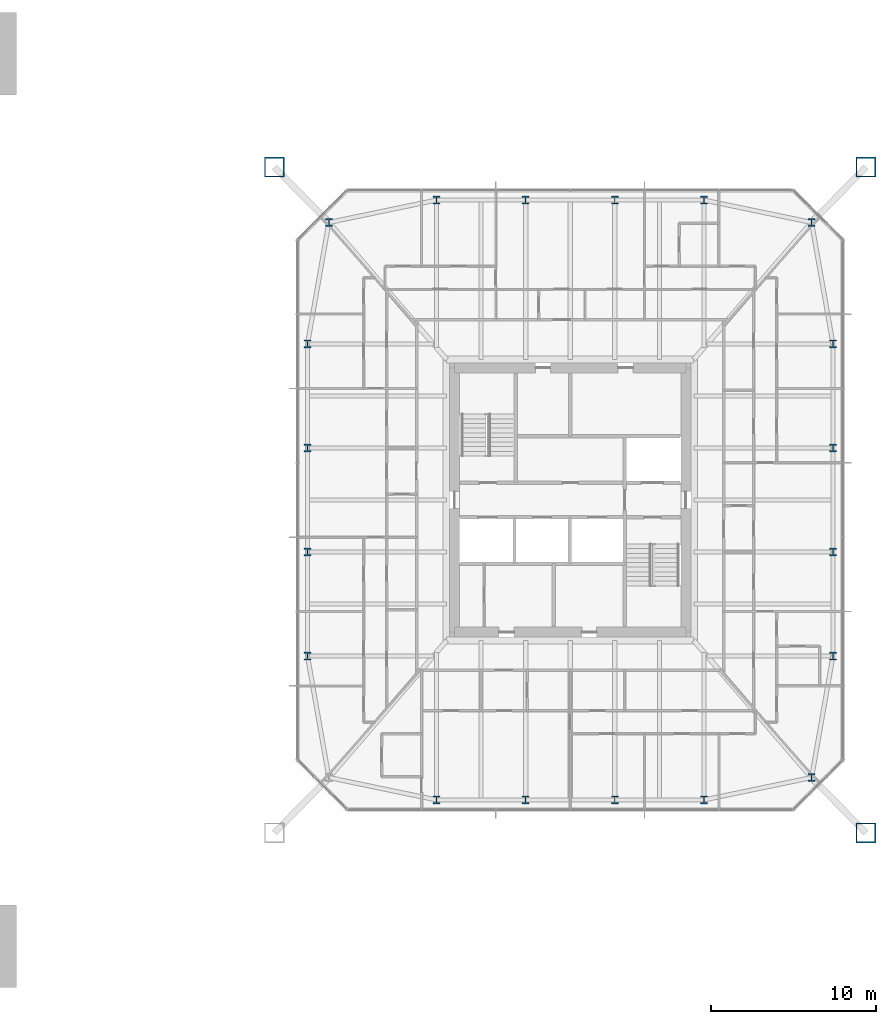
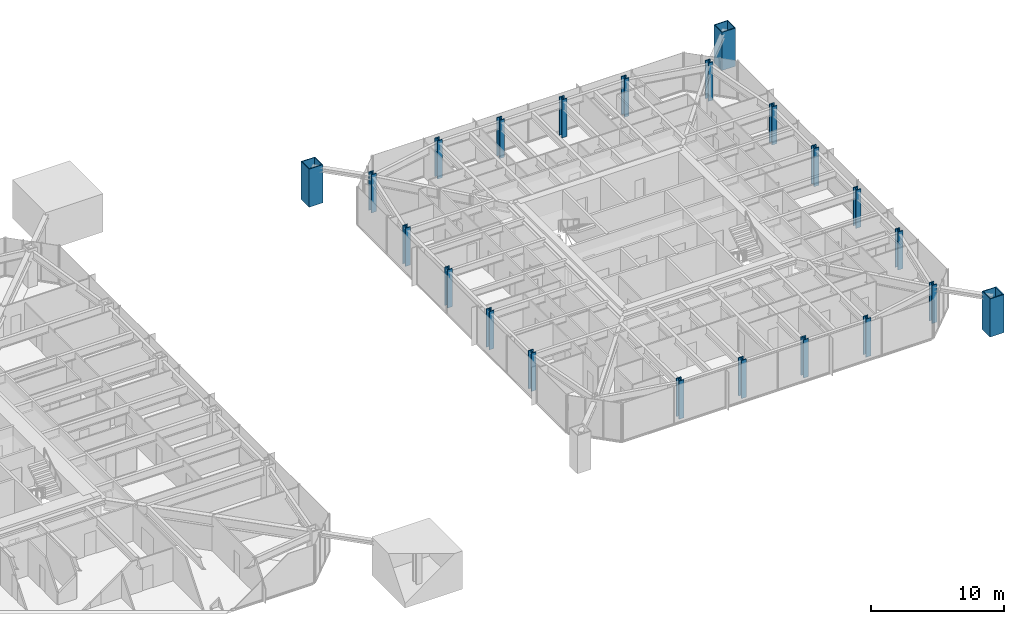
# One storey, part 2 of 26: 22 columns.
"""IFC4 building model written with IfcOpenShell, lengths in metres."""

from ifc_helpers import new_model, si_unit, direction, frame, origin, origin_2d, place, context, subcontext, project, spatial, hollow_rectangle, i_section, extrude, material, material_profile, profile_set, type_object, element, save


model = new_model("IFC4")

# Units and contexts
model_context = context("Model", 3, precision=1e-05, world=origin(), true_north=direction((0.0, 1.0)))
body_context = subcontext(model_context, "Body", "Model", "MODEL_VIEW")
ifc_project = project(units=[si_unit("LENGTHUNIT", "METRE"), si_unit("AREAUNIT", "SQUARE_METRE"), si_unit("VOLUMEUNIT", "CUBIC_METRE"), si_unit("PLANEANGLEUNIT", "RADIAN"), si_unit("MASSUNIT", "GRAM", prefix="KILO")], contexts=[model_context])

# Site, building, storey
site_placement = place(None, origin())
site = spatial("IfcSite", under=ifc_project, at=site_placement, CompositionType="ELEMENT")
building_placement = place(site_placement, origin())
building = spatial("IfcBuilding", under=site, at=building_placement, Name="Iwan Alto Co-Living Towers", CompositionType="ELEMENT")
storey_placement = place(building_placement, frame((0.0, 0.0, 39.5)))
storey = spatial("IfcBuildingStorey", under=building, at=storey_placement, Name="L10", CompositionType="ELEMENT", Elevation=39.5)

# Columns
ifc_material_1 = material(Name="Steel ASTM A572 Gr 50", Category="steel")
ifc_material_profile_1 = material_profile(ifc_material_1, hollow_rectangle(XDim=1.199951171875, YDim=1.199951171875, WallThickness=0.070068359375, at=origin_2d()), Name="BOX 1200X1200X70")
ifc_profile_set_1 = profile_set([ifc_material_profile_1], Name="Steel ASTM A572 Gr 50")
column_type_1 = type_object("IfcColumnType", Name="T2 MEGA COLUMN BOX 1200X1200X70", PredefinedType="COLUMN", material=ifc_profile_set_1)
for number, where, z_axis, x_axis, name in (
    (1, (80.89990234375, -20.14990234375, 0.0), (0.0, 0.0, 1.0), (1.0, 0.0, 0.0), "T2 mega column SE L10"),
    (2, (80.89990234375, 20.14990234375, 0.0), (0.0, 0.0, 1.0), (1.0, 0.0, 0.0), "T2 mega column NE L10"),
    (3, (45.10009765625, 20.14990234375, 0.0), (0.0, 0.0, 1.0), (1.0, 0.0, 0.0), "T2 mega column NW L10"),
):
    element("IfcColumn", number, at=place(storey_placement, frame(where, z_axis=z_axis, x_axis=x_axis)), inside=storey, type_object=column_type_1, Name=name, PredefinedType="COLUMN", context=body_context, shape_type="SweptSolid", body=[
        extrude(hollow_rectangle(XDim=1.199951171875, YDim=1.199951171875, WallThickness=0.070068359375, at=origin_2d()), origin(), (0.0, 0.0, 1.0), 3.5),
    ])
ifc_material_2 = material(Name="Steel ASTM A992 Gr 50", Category="steel")
ifc_material_profile_2 = material_profile(ifc_material_2, i_section(OverallWidth=0.424072265625, OverallDepth=0.47509765625, WebThickness=0.0478515625, FlangeThickness=0.0771484375, at=origin_2d()), Name="W14X426")
ifc_profile_set_2 = profile_set([ifc_material_profile_2], Name="Steel ASTM A992 Gr 50")
column_type_2 = type_object("IfcColumnType", Name="T2 RING COLUMN W14X426", PredefinedType="COLUMN", material=ifc_profile_set_2)
for number, where, z_axis, x_axis, name in (
    (4, (54.89990234375, -18.14990234375, 0.0), (0.0, 0.0, 1.0), (1.0, 0.0, 0.0), "T2 ring column S1 L10"),
    (5, (60.300048828125, -18.14990234375, 0.0), (0.0, 0.0, 1.0), (1.0, 0.0, 0.0), "T2 ring column S2 L10"),
    (6, (65.699951171875, -18.14990234375, 0.0), (0.0, 0.0, 1.0), (1.0, 0.0, 0.0), "T2 ring column S3 L10"),
    (7, (71.10009765625, -18.14990234375, 0.0), (0.0, 0.0, 1.0), (1.0, 0.0, 0.0), "T2 ring column S4 L10"),
    (8, (77.606201171875, -16.797119140625, 0.0), (0.0, 0.0, 1.0), (1.0, 0.0, 0.0), "T2 ring column CSE L10"),
    (9, (78.89990234375, -9.449951171875, 0.0), (0.0, 0.0, 1.0), (1.0, 0.0, 0.0), "T2 ring column E1 L10"),
    (10, (78.89990234375, -3.14990234375, 0.0), (0.0, 0.0, 1.0), (1.0, 0.0, 0.0), "T2 ring column E2 L10"),
    (11, (78.89990234375, 3.14990234375, 0.0), (0.0, 0.0, 1.0), (1.0, 0.0, 0.0), "T2 ring column E3 L10"),
    (12, (78.89990234375, 9.449951171875, 0.0), (0.0, 0.0, 1.0), (1.0, 0.0, 0.0), "T2 ring column E4 L10"),
    (13, (77.606201171875, 16.797119140625, 0.0), (0.0, 0.0, 1.0), (1.0, 0.0, 0.0), "T2 ring column CNE L10"),
    (14, (71.10009765625, 18.14990234375, 0.0), (0.0, 0.0, 1.0), (1.0, 0.0, 0.0), "T2 ring column N1 L10"),
    (15, (65.699951171875, 18.14990234375, 0.0), (0.0, 0.0, 1.0), (1.0, 0.0, 0.0), "T2 ring column N2 L10"),
    (16, (60.300048828125, 18.14990234375, 0.0), (0.0, 0.0, 1.0), (1.0, 0.0, 0.0), "T2 ring column N3 L10"),
    (17, (54.89990234375, 18.14990234375, 0.0), (0.0, 0.0, 1.0), (1.0, 0.0, 0.0), "T2 ring column N4 L10"),
    (18, (48.393798828125, 16.797119140625, 0.0), (0.0, 0.0, 1.0), (1.0, 0.0, 0.0), "T2 ring column CNW L10"),
    (19, (47.10009765625, 9.449951171875, 0.0), (0.0, 0.0, 1.0), (1.0, 0.0, 0.0), "T2 ring column W1 L10"),
    (20, (47.10009765625, 3.14990234375, 0.0), (0.0, 0.0, 1.0), (1.0, 0.0, 0.0), "T2 ring column W2 L10"),
    (21, (47.10009765625, -3.14990234375, 0.0), (0.0, 0.0, 1.0), (1.0, 0.0, 0.0), "T2 ring column W3 L10"),
    (22, (47.10009765625, -9.449951171875, 0.0), (0.0, 0.0, 1.0), (1.0, 0.0, 0.0), "T2 ring column W4 L10"),
):
    element("IfcColumn", number, at=place(storey_placement, frame(where, z_axis=z_axis, x_axis=x_axis)), inside=storey, type_object=column_type_2, Name=name, PredefinedType="COLUMN", context=body_context, shape_type="SweptSolid", body=[
        extrude(i_section(OverallWidth=0.424072265625, OverallDepth=0.47509765625, WebThickness=0.0478515625, FlangeThickness=0.0771484375, at=origin_2d()), origin(), (0.0, 0.0, 1.0), 3.5),
    ])

save(model, "model.ifc")
